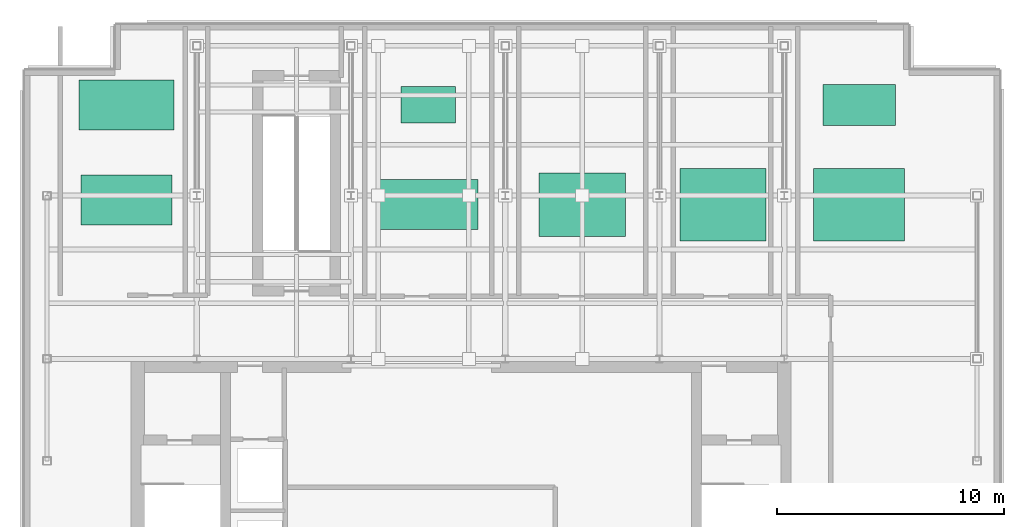
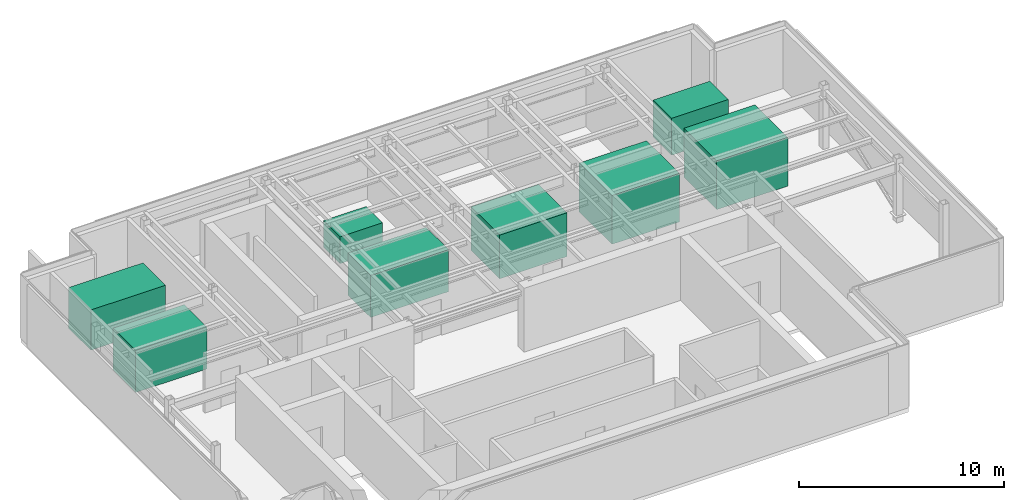
# One storey, part 5 of 5: 2 chillers, 2 cooling towers, 1 boiler, 1 pump, 1 tank, 1 unitary equipment element.
"""IFC4 building model written with IfcOpenShell, lengths in metres."""

import ifcopenshell
import ifcopenshell.guid

model = None  # the IFC model being written
_history = None  # IfcOwnerHistory: only IFC2X3 demands one
_inside = {}  # id of a spatial element -> (the spatial element, [elements in it])
_under = {}  # id of a project, library or spatial element -> (it, [spatial elements below it])
_declared = {}  # id of a project -> (the project, [libraries it declares])
_typed = {}  # id of a type object -> (the type object, [elements of that type])
_made_of = {}  # id of a material, layer set ... -> (it, [elements and type objects made of it])


def new_model(schema):
    """Start an empty IFC model of exactly this schema.

    Asked for "IFC4X3", IfcOpenShell would pick the latest addendum, in which some entities
    have other attributes; the version numbers below select the first issue.
    IFC2X3 requires an IfcOwnerHistory on every rooted entity: one is made here for all.
    """
    global model, _history
    if schema == "IFC4X3":
        model = ifcopenshell.file(schema_version=(4, 3, 0, 0))
    else:
        model = ifcopenshell.file(schema=schema)
    _inside.clear()
    _under.clear()
    _declared.clear()
    _typed.clear()
    _made_of.clear()
    _history = None
    if model.schema == "IFC2X3":
        org = make("IfcOrganization", Name="unknown")
        user = make(
            "IfcPersonAndOrganization",
            ThePerson=make("IfcPerson", FamilyName="unknown"),
            TheOrganization=org,
        )
        app = make(
            "IfcApplication",
            ApplicationDeveloper=org,
            Version="unknown",
            ApplicationFullName="unknown",
            ApplicationIdentifier="unknown",
        )
        _history = make(
            "IfcOwnerHistory",
            OwningUser=user,
            OwningApplication=app,
            ChangeAction="ADDED",
            CreationDate=0,
        )
    return model


def make(cls, **values):
    """One entity of the class cls with the attributes given. An attribute that is None is left unset."""
    return model.create_entity(
        cls, **{name: value for name, value in values.items() if value is not None}
    )


def rooted(cls, **values):
    """An entity with a GlobalId (a new one), such as an element, a storey or a relation."""
    return make(cls, GlobalId=ifcopenshell.guid.new(), OwnerHistory=_history, **values)


def si_unit(unit_type, name, prefix=None):
    """IfcSIUnit, for example si_unit("LENGTHUNIT", "METRE", prefix="MILLI")."""
    return make("IfcSIUnit", UnitType=unit_type, Prefix=prefix, Name=name)


def derived_unit(unit_type, elements):
    """IfcDerivedUnit: a product of units, each with its exponent."""
    return make(
        "IfcDerivedUnit",
        Elements=[
            make("IfcDerivedUnitElement", Unit=unit, Exponent=power)
            for unit, power in elements
        ],
        UnitType=unit_type,
    )


def assignment(units):
    """IfcUnitAssignment: the units of a project."""
    return None if units is None else make("IfcUnitAssignment", Units=units)


def point(xyz):
    """IfcCartesianPoint."""
    return None if xyz is None else make("IfcCartesianPoint", Coordinates=xyz)


def direction(xyz):
    """IfcDirection."""
    return None if xyz is None else make("IfcDirection", DirectionRatios=xyz)


def frame(location, z_axis=None, x_axis=None):
    """IfcAxis2Placement3D, a coordinate frame: its origin and axes. An axis left out is left unset."""
    return make(
        "IfcAxis2Placement3D",
        Location=point(location),
        Axis=direction(z_axis),
        RefDirection=direction(x_axis),
    )


def frame_2d(location, x_axis=None):
    """IfcAxis2Placement2D, a coordinate frame in the plane: its origin and x axis."""
    return make(
        "IfcAxis2Placement2D", Location=point(location), RefDirection=direction(x_axis)
    )


def origin():
    """The frame at (0, 0, 0) with its axes left unset."""
    return frame((0.0, 0.0, 0.0))


def origin_2d():
    """The frame at (0, 0) in the plane with its x axis left unset."""
    return frame_2d((0.0, 0.0))


def place(relative_to, where):
    """IfcLocalPlacement: puts the frame where relative to a parent placement (None: the world)."""
    return make(
        "IfcLocalPlacement", PlacementRelTo=relative_to, RelativePlacement=where
    )


def context(
    kind, dimensions, precision=None, world=None, true_north=None, identifier=None
):
    """IfcGeometricRepresentationContext, for example the 3D "Model" context."""
    return make(
        "IfcGeometricRepresentationContext",
        ContextIdentifier=identifier,
        ContextType=kind,
        CoordinateSpaceDimension=dimensions,
        Precision=precision,
        WorldCoordinateSystem=world,
        TrueNorth=true_north,
    )


def subcontext(parent, identifier, kind, view, scale=None):
    """IfcGeometricRepresentationSubContext, for example "Body" below "Model"."""
    return make(
        "IfcGeometricRepresentationSubContext",
        ContextIdentifier=identifier,
        ContextType=kind,
        ParentContext=parent,
        TargetScale=scale,
        TargetView=view,
    )


def project(units=None, contexts=None):
    """IfcProject with its units and contexts."""
    return rooted(
        "IfcProject",
        Name="project",
        RepresentationContexts=contexts,
        UnitsInContext=assignment(units),
    )


def spatial(cls, under=None, at=None, **own):
    """A site, building, storey or space (cls), placed at a placement, below another one or the project."""
    s = rooted(cls, ObjectPlacement=at, **own)
    if under is not None:
        _under.setdefault(under.id(), (under, []))[1].append(s)
    return s


def profile(cls, at=None, kind="AREA", **sizes):
    """A parametric profile (cls). Its sizes go by their IFC names, for example OverallWidth=200.0."""
    return make(cls, ProfileType=kind, Position=at, **sizes)


def rectangle(**sizes):
    """IfcRectangleProfileDef."""
    return profile("IfcRectangleProfileDef", **sizes)


def extrude(swept, where, along, depth):
    """IfcExtrudedAreaSolid: the profile swept, set in the frame where, extruded along a direction by depth."""
    return make(
        "IfcExtrudedAreaSolid",
        SweptArea=swept,
        Position=where,
        ExtrudedDirection=direction(along),
        Depth=depth,
    )


def shape(context_of_items, identifier, shape_type, items):
    """IfcShapeRepresentation: the items that make up one representation, for example the "Body"."""
    return make(
        "IfcShapeRepresentation",
        ContextOfItems=context_of_items,
        RepresentationIdentifier=identifier,
        RepresentationType=shape_type,
        Items=items,
    )


def source(mapping_origin, context_of_items, identifier, shape_type, items):
    """IfcRepresentationMap: a shape defined once, which mapped items show again and again."""
    return make(
        "IfcRepresentationMap",
        MappingOrigin=mapping_origin,
        MappedRepresentation=shape(context_of_items, identifier, shape_type, items),
    )


def transform(
    local_origin,
    x_axis=None,
    y_axis=None,
    z_axis=None,
    scale=None,
    scale2=None,
    scale3=None,
    uniform=True,
):
    """IfcCartesianTransformationOperator3D, or its non-uniform kind. x_axis, y_axis, z_axis: its Axis1, 2, 3."""
    if uniform:
        return make(
            "IfcCartesianTransformationOperator3D",
            Axis1=direction(x_axis),
            Axis2=direction(y_axis),
            LocalOrigin=point(local_origin),
            Scale=scale,
            Axis3=direction(z_axis),
        )
    return make(
        "IfcCartesianTransformationOperator3DnonUniform",
        Axis1=direction(x_axis),
        Axis2=direction(y_axis),
        LocalOrigin=point(local_origin),
        Scale=scale,
        Axis3=direction(z_axis),
        Scale2=scale2,
        Scale3=scale3,
    )


def mapped(mapping_source, mapping_target):
    """IfcMappedItem: shows the shape of a source again, moved by a transform."""
    return make(
        "IfcMappedItem", MappingSource=mapping_source, MappingTarget=mapping_target
    )


def material(Name=None, Category=None):
    """IfcMaterial."""
    return make("IfcMaterial", Name=Name, Category=Category)


def made_of(thing, what):
    """Note that an element or type object is made of a material, layer set ...; save() writes the relation."""
    if what is not None:
        _made_of.setdefault(what.id(), (what, []))[1].append(thing)
    return thing


def type_object(cls, material=None, **own):
    """A type object (cls), such as IfcWallType, which elements share."""
    return made_of(rooted(cls, **own), material)


def element(
    cls,
    number,
    at=None,
    inside=None,
    cuts=None,
    type_object=None,
    material=None,
    context=None,
    identifier="Body",
    shape_type=None,
    held_by="IfcProductDefinitionShape",
    body=None,
    shapes=None,
    **own,
):
    """One element of the class cls, such as IfcWall. Its Tag is "e" and its number.

    at: its placement. inside: the storey or other place that contains it. cuts: it is an
    opening in that element (IfcRelVoidsElement). A single representation is given by context,
    identifier, shape_type and body (its items); several are given by shapes. held_by: the class
    of the entity that holds the representations. save() writes the other relations.
    """
    e = rooted(cls, Tag="e%d" % number, ObjectPlacement=at, **own)
    if body is not None:
        shapes = [shape(context, identifier, shape_type, body)]
    if shapes is not None:
        e.Representation = make(held_by, Representations=shapes)
    if inside is not None:
        _inside.setdefault(inside.id(), (inside, []))[1].append(e)
    if cuts is not None:
        rooted(
            "IfcRelVoidsElement", RelatingBuildingElement=cuts, RelatedOpeningElement=e
        )
    if type_object is not None:
        _typed.setdefault(type_object.id(), (type_object, []))[1].append(e)
    return made_of(e, material)


def aggregate(whole, parts):
    """IfcRelAggregates: a whole, such as a stair, and the parts it consists of."""
    return rooted("IfcRelAggregates", RelatingObject=whole, RelatedObjects=parts)


def save(model, path):
    """Write the relations noted so far, then the file.

    IfcRelAggregates (storeys below a building ...), IfcRelContainedInSpatialStructure (elements
    in a storey), IfcRelDefinesByType, IfcRelAssociatesMaterial and IfcRelDeclares: one each for
    every whole, place, type object, material and project.
    """
    for whole, parts in _under.values():
        aggregate(whole, parts)
    for where, things in _inside.values():
        rooted(
            "IfcRelContainedInSpatialStructure",
            RelatedElements=things,
            RelatingStructure=where,
        )
    for kind, things in _typed.values():
        rooted("IfcRelDefinesByType", RelatedObjects=things, RelatingType=kind)
    for what, things in _made_of.values():
        rooted("IfcRelAssociatesMaterial", RelatedObjects=things, RelatingMaterial=what)
    for by, libraries in _declared.values():
        rooted("IfcRelDeclares", RelatingContext=by, RelatedDefinitions=libraries)
    model.write(path)


model = new_model("IFC4")

# Units and contexts
model_context = context("Model", 3, precision=1e-05, world=origin(), true_north=direction((0.0, 1.0)))
body_context = subcontext(model_context, "Body", "Model", "MODEL_VIEW")
ifc_project = project(units=[si_unit("LENGTHUNIT", "METRE"), si_unit("AREAUNIT", "SQUARE_METRE"), si_unit("VOLUMEUNIT", "CUBIC_METRE"), si_unit("PLANEANGLEUNIT", "RADIAN"), si_unit("MASSUNIT", "GRAM", prefix="KILO"), derived_unit("THERMALTRANSMITTANCEUNIT", [(si_unit("POWERUNIT", "WATT"), 1), (si_unit("LENGTHUNIT", "METRE"), -2), (si_unit("THERMODYNAMICTEMPERATUREUNIT", "KELVIN"), -1)])], contexts=[model_context])

# Site, building, storey
site_placement = place(None, origin())
site = spatial("IfcSite", under=ifc_project, at=site_placement, CompositionType="ELEMENT")
building_placement = place(site_placement, origin())
building = spatial("IfcBuilding", under=site, at=building_placement, Name="Skarnbrae Concourse Arena and Tower", CompositionType="ELEMENT")
storey_placement = place(building_placement, frame((0.0, 0.0, 311.25)))
storey = spatial("IfcBuildingStorey", under=building, at=storey_placement, Name="L81", CompositionType="ELEMENT", Elevation=311.25)

# Chiller
ifc_material = material(Name="Painted steel mechanical equipment skid", Category="steel")
chiller_type = type_object("IfcChillerType", Name="EQP-CHILLER-CENT", PredefinedType="NOTDEFINED", material=ifc_material)
shared_shape_1 = source(origin(), body_context, "Body", "SweptSolid", [
    extrude(rectangle(XDim=4.0, YDim=2.199951171875, at=origin_2d()), origin(), (0.0, 0.0, 1.0), 2.5),
])
chiller_1_placement = place(storey_placement, frame((4.5, 21.0, 0.0), z_axis=(0.0, 0.0, 1.0), x_axis=(1.0, 0.0, 0.0)))
element("IfcChiller", 1, at=chiller_1_placement, inside=storey, type_object=chiller_type, Name="L81 Crown mechanical plant unit CH1", PredefinedType="NOTDEFINED", context=body_context, shape_type="MappedRepresentation", body=[
    mapped(shared_shape_1, transform((0.0, 0.0, 0.0))),
])

# Cooling towers
cooling_tower_type = type_object("IfcCoolingTowerType", Name="EQP-CTOWER-CELL", PredefinedType="NOTDEFINED", material=ifc_material)
shared_shape_2 = source(origin(), body_context, "Body", "SweptSolid", [
    extrude(rectangle(XDim=3.800048828125, YDim=3.199951171875, at=origin_2d()), origin(), (0.0, 0.0, 1.0), 2.89990234375),
])
cooling_tower_1_placement = place(storey_placement, frame((30.800048828125, 20.800048828125, 0.0), z_axis=(0.0, 0.0, 1.0), x_axis=(1.0, 0.0, 0.0)))
element("IfcCoolingTower", 2, at=cooling_tower_1_placement, inside=storey, type_object=cooling_tower_type, Name="L81 Crown mechanical plant unit CT1", PredefinedType="NOTDEFINED", context=body_context, shape_type="MappedRepresentation", body=[
    mapped(shared_shape_2, transform((0.0, 0.0, 0.0))),
])
shared_shape_3 = source(origin(), body_context, "Body", "SweptSolid", [
    extrude(rectangle(XDim=4.0, YDim=3.199951171875, at=origin_2d()), origin(), (0.0, 0.0, 1.0), 2.89990234375),
])
cooling_tower_2_placement = place(storey_placement, frame((36.800048828125, 20.800048828125, 0.0), z_axis=(0.0, 0.0, 1.0), x_axis=(1.0, 0.0, 0.0)))
element("IfcCoolingTower", 3, at=cooling_tower_2_placement, inside=storey, type_object=cooling_tower_type, Name="L81 Crown mechanical plant unit CT2", PredefinedType="NOTDEFINED", context=body_context, shape_type="MappedRepresentation", body=[
    mapped(shared_shape_3, transform((0.0, 0.0, 0.0))),
])

# Unitary equipment
unitary_equipment_type = type_object("IfcUnitaryEquipmentType", Name="EQP-AHU-CUSTOM", PredefinedType="NOTDEFINED", material=ifc_material)
shared_shape_4 = source(origin(), body_context, "Body", "SweptSolid", [
    extrude(rectangle(XDim=4.199951171875, YDim=2.199951171875, at=origin_2d()), origin(), (0.0, 0.0, 1.0), 2.39990234375),
])
unitary_equipment_placement = place(storey_placement, frame((4.5, 25.199951171875, 0.0), z_axis=(0.0, 0.0, 1.0), x_axis=(1.0, 0.0, 0.0)))
element("IfcUnitaryEquipment", 4, at=unitary_equipment_placement, inside=storey, type_object=unitary_equipment_type, Name="L81 Crown mechanical plant unit AH1", PredefinedType="NOTDEFINED", context=body_context, shape_type="MappedRepresentation", body=[
    mapped(shared_shape_4, transform((0.0, 0.0, 0.0))),
])

# Boiler
boiler_type = type_object("IfcBoilerType", Name="EQP-BOILER-COND", PredefinedType="NOTDEFINED", material=ifc_material)
shared_shape_5 = source(origin(), body_context, "Body", "SweptSolid", [
    extrude(rectangle(XDim=3.199951171875, YDim=1.800048828125, at=origin_2d()), origin(), (0.0, 0.0, 1.0), 2.199951171875),
])
boiler_placement = place(storey_placement, frame((36.800048828125, 25.199951171875, 0.0), z_axis=(0.0, 0.0, 1.0), x_axis=(1.0, 0.0, 0.0)))
element("IfcBoiler", 5, at=boiler_placement, inside=storey, type_object=boiler_type, Name="L81 Crown mechanical plant unit BL1", PredefinedType="NOTDEFINED", context=body_context, shape_type="MappedRepresentation", body=[
    mapped(shared_shape_5, transform((0.0, 0.0, 0.0))),
])

# Chiller
shared_shape_6 = source(origin(), body_context, "Body", "SweptSolid", [
    extrude(rectangle(XDim=4.39990234375, YDim=2.199951171875, at=origin_2d()), origin(), (0.0, 0.0, 1.0), 2.5),
])
chiller_2_placement = place(storey_placement, frame((17.800048828125, 20.800048828125, 0.0), z_axis=(0.0, 0.0, 1.0), x_axis=(1.0, 0.0, 0.0)))
element("IfcChiller", 6, at=chiller_2_placement, inside=storey, type_object=chiller_type, Name="L81 Crown mechanical plant unit CH2", PredefinedType="NOTDEFINED", context=body_context, shape_type="MappedRepresentation", body=[
    mapped(shared_shape_6, transform((0.0, 0.0, 0.0))),
])

# Tank
tank_type = type_object("IfcTankType", Name="EQP-WTANK-DOM", PredefinedType="NOTDEFINED", material=ifc_material)
shared_shape_7 = source(origin(), body_context, "Body", "SweptSolid", [
    extrude(rectangle(XDim=3.800048828125, YDim=2.800048828125, at=origin_2d()), origin(), (0.0, 0.0, 1.0), 2.60009765625),
])
tank_placement = place(storey_placement, frame((24.60009765625, 20.800048828125, 0.0), z_axis=(0.0, 0.0, 1.0), x_axis=(1.0, 0.0, 0.0)))
element("IfcTank", 7, at=tank_placement, inside=storey, type_object=tank_type, Name="L81 Crown mechanical plant unit TK1", PredefinedType="NOTDEFINED", context=body_context, shape_type="MappedRepresentation", body=[
    mapped(shared_shape_7, transform((0.0, 0.0, 0.0))),
])

# Pump
pump_type = type_object("IfcPumpType", Name="EQP-PUMP-SKID", PredefinedType="NOTDEFINED", material=ifc_material)
shared_shape_8 = source(origin(), body_context, "Body", "SweptSolid", [
    extrude(rectangle(XDim=2.39990234375, YDim=1.60009765625, at=origin_2d()), origin(), (0.0, 0.0, 1.0), 1.60009765625),
])
pump_placement = place(storey_placement, frame((17.800048828125, 25.199951171875, 0.0), z_axis=(0.0, 0.0, 1.0), x_axis=(1.0, 0.0, 0.0)))
element("IfcPump", 8, at=pump_placement, inside=storey, type_object=pump_type, Name="L81 Crown mechanical plant unit PM1", PredefinedType="NOTDEFINED", context=body_context, shape_type="MappedRepresentation", body=[
    mapped(shared_shape_8, transform((0.0, 0.0, 0.0))),
])

save(model, "model.ifc")
